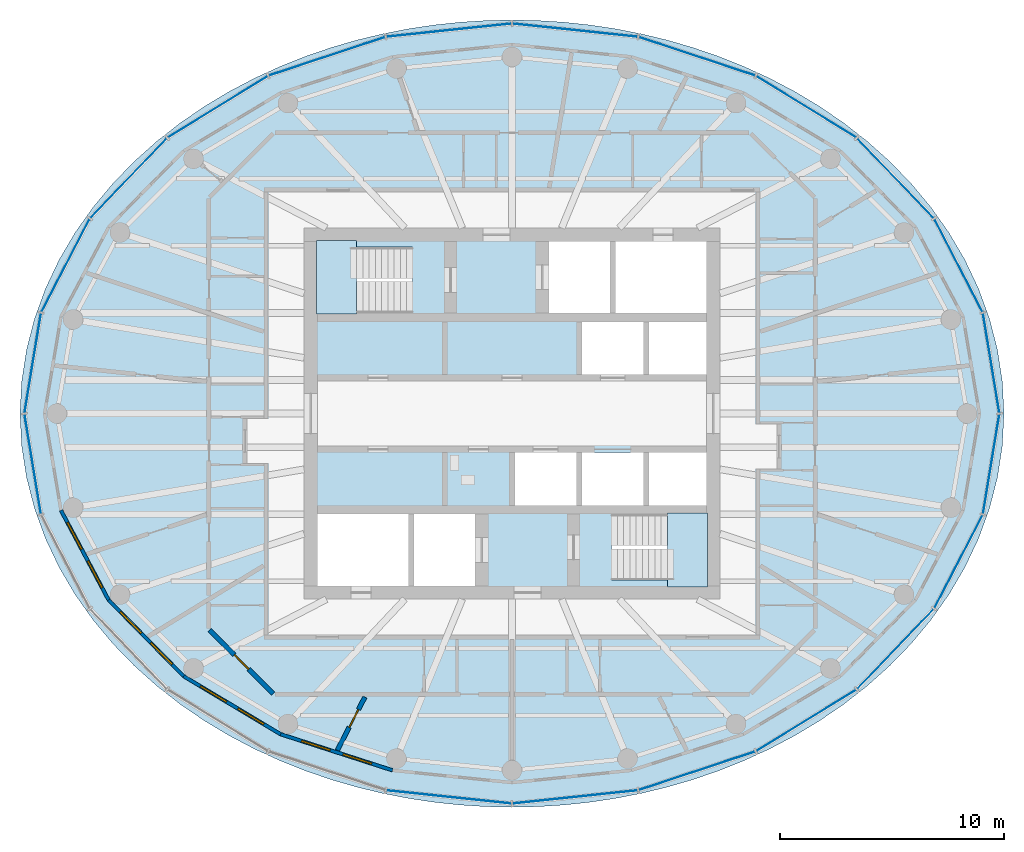
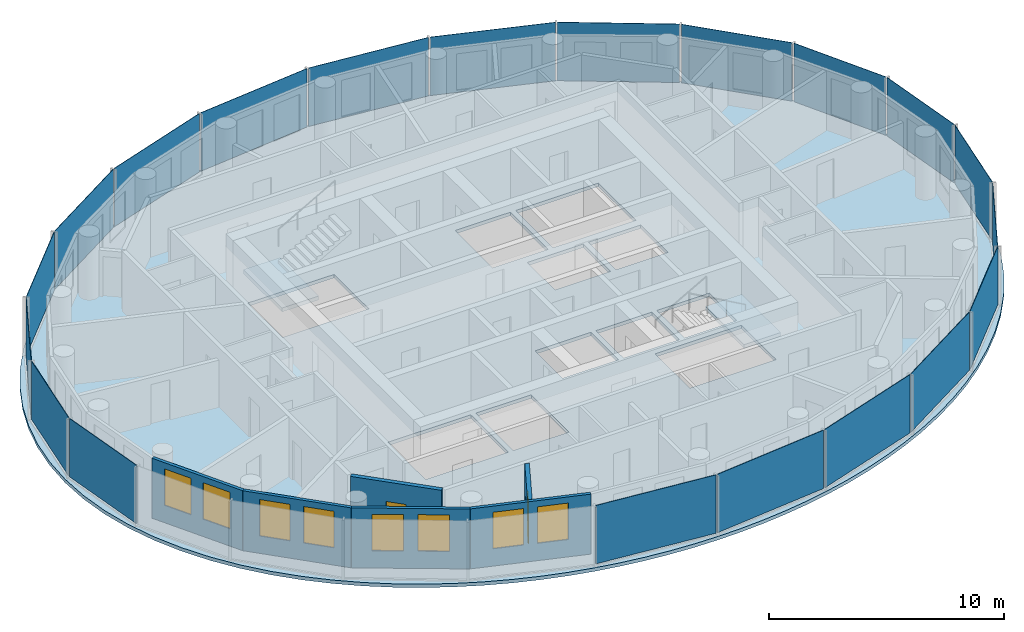
# One storey, part 4 of 12: 20 plates, 8 windows, 6 walls, 3 slabs, 2 doors, 10 openings, 6 elements without a shape of their own.
"""IFC4 building model written with IfcOpenShell, lengths in metres."""

from ifc_helpers import new_model, si_unit, direction, frame, frame_2d, origin, origin_2d, place, context, subcontext, project, spatial, polyline, rectangle, outline, extrude, material, layer, layer_set, type_object, element, fill, aggregate, save


model = new_model("IFC4")

# Units and contexts
model_context = context("Model", 3, precision=1e-05, world=origin(), true_north=direction((0.0, 1.0)))
body_context = subcontext(model_context, "Body", "Model", "MODEL_VIEW")
ifc_project = project(units=[si_unit("LENGTHUNIT", "METRE"), si_unit("AREAUNIT", "SQUARE_METRE"), si_unit("VOLUMEUNIT", "CUBIC_METRE"), si_unit("PLANEANGLEUNIT", "RADIAN"), si_unit("MASSUNIT", "GRAM", prefix="KILO")], contexts=[model_context])

# Site, building, storey
site_placement = place(None, origin())
site = spatial("IfcSite", under=ifc_project, at=site_placement, CompositionType="ELEMENT")
building_placement = place(site_placement, origin())
building = spatial("IfcBuilding", under=site, at=building_placement, Name="Hankou Lantern Tower", CompositionType="ELEMENT")
storey_placement = place(building_placement, frame((0.0, 0.0, 216.0)))
storey = spatial("IfcBuildingStorey", under=building, at=storey_placement, Name="L58", CompositionType="ELEMENT", Elevation=216.0)

# Curtain wall, plates
ifc_material_1 = material(Name="Glass, dark grey tinted laminated", Category="glass")
curtain_wall_type = type_object("IfcCurtainWallType", Name="CWD OUTER SKIN SUITE", PredefinedType="USERDEFINED", material=ifc_material_1)
curtain_wall_1_placement = place(storey_placement, origin())
curtain_wall_1 = element("IfcCurtainWall", 1, at=curtain_wall_1_placement, inside=storey, type_object=curtain_wall_type, Name="CWD L58 OS1", ObjectType="OUTER SKIN SUITE", PredefinedType="USERDEFINED")
ifc_material_2 = material(Name="Glass, dark grey tinted laminated", Category="glass")
ifc_layer_1 = layer(ifc_material_2, 0.02392578125)
ifc_layer_set_1 = layer_set([ifc_layer_1], Name="Glass, dark grey tinted laminated")
plate_type = type_object("IfcPlateType", Name="PN1 OUTER SKIN GLASS PANEL", PredefinedType="CURTAIN_PANEL", material=ifc_layer_set_1)
plate_1_placement = place(storey_placement, frame((21.4287109375, 2.2568359375, 0.080078125), z_axis=(0.0, 0.0, 1.0), x_axis=(-0.162381515188, 0.986728049427, 0.0)))
plate_1 = element("IfcPlate", 2, at=plate_1_placement, type_object=plate_type, Name="CWD glass panel 1", PredefinedType="CURTAIN_PANEL", context=body_context, shape_type="SweptSolid", body=[
    extrude(rectangle(XDim=4.49462890625, YDim=0.02392578125, at=origin_2d()), origin(), (0.0, 0.0, 1.0), 3.0400390625),
])
plate_2_placement = place(storey_placement, frame((19.96826171875, 6.616943359375, 0.080078125), z_axis=(0.0, 0.0, 1.0), x_axis=(-0.459791091957, 0.888027112062, 0.0)))
plate_2 = element("IfcPlate", 3, at=plate_2_placement, type_object=plate_type, Name="CWD glass panel 2", PredefinedType="CURTAIN_PANEL", context=body_context, shape_type="SweptSolid", body=[
    extrude(rectangle(XDim=4.656494140625, YDim=0.02392578125, at=origin_2d()), origin(), (0.0, 0.0, 1.0), 3.0400390625),
])
plate_3_placement = place(storey_placement, frame((17.147216796875, 10.52587890625, 0.080078125), z_axis=(0.0, 0.0, 1.0), x_axis=(-0.692215809936, 0.721690565599, 0.0)))
plate_3 = element("IfcPlate", 4, at=plate_3_placement, type_object=plate_type, Name="CWD glass panel 3", PredefinedType="CURTAIN_PANEL", context=body_context, shape_type="SweptSolid", body=[
    extrude(rectangle(XDim=4.9248046875, YDim=0.02392578125, at=origin_2d()), origin(), (0.0, 0.0, 1.0), 3.0400390625),
])
plate_4_placement = place(storey_placement, frame((13.157470703125, 13.7177734375, 0.080078125), z_axis=(0.0, 0.0, 1.0), x_axis=(-0.852237151549, 0.523155653242, 0.0)))
plate_4 = element("IfcPlate", 5, at=plate_4_placement, type_object=plate_type, Name="CWD glass panel 4", PredefinedType="CURTAIN_PANEL", context=body_context, shape_type="SweptSolid", body=[
    extrude(rectangle(XDim=5.2177734375, YDim=0.02392578125, at=origin_2d()), origin(), (0.0, 0.0, 1.0), 3.0400390625),
])
plate_5_placement = place(storey_placement, frame((8.271240234375, 15.974609375, 0.080078125), z_axis=(0.0, 0.0, 1.0), x_axis=(-0.949240677293, 0.31455068999, 0.0)))
plate_5 = element("IfcPlate", 6, at=plate_5_placement, type_object=plate_type, Name="CWD glass panel 5", PredefinedType="CURTAIN_PANEL", context=body_context, shape_type="SweptSolid", body=[
    extrude(rectangle(XDim=5.458984375, YDim=0.02392578125, at=origin_2d()), origin(), (0.0, 0.0, 1.0), 3.0400390625),
])
plate_6_placement = place(storey_placement, frame((2.821044921875, 17.142822265625, 0.080078125), z_axis=(0.0, 0.0, 1.0), x_axis=(-0.994499359107, 0.104742659579, 0.0)))
plate_6 = element("IfcPlate", 7, at=plate_6_placement, type_object=plate_type, Name="CWD glass panel 6", PredefinedType="CURTAIN_PANEL", context=body_context, shape_type="SweptSolid", body=[
    extrude(rectangle(XDim=5.593505859375, YDim=0.02392578125, at=origin_2d()), origin(), (0.0, 0.0, 1.0), 3.0400390625),
])
aggregate(curtain_wall_1, [plate_1, plate_2, plate_3, plate_4, plate_5, plate_6])

curtain_wall_2_placement = place(storey_placement, origin())
curtain_wall_2 = element("IfcCurtainWall", 8, at=curtain_wall_2_placement, inside=storey, type_object=curtain_wall_type, Name="CWD L58 OS2", ObjectType="OUTER SKIN SUITE", PredefinedType="USERDEFINED")
plate_7_placement = place(storey_placement, frame((-2.821044921875, 17.142822265625, 0.080078125), z_axis=(0.0, 0.0, 1.0), x_axis=(-0.994499359107, -0.104742659579, 0.0)))
plate_7 = element("IfcPlate", 9, at=plate_7_placement, type_object=plate_type, Name="CWD glass panel 1", PredefinedType="CURTAIN_PANEL", context=body_context, shape_type="SweptSolid", body=[
    extrude(rectangle(XDim=5.593505859375, YDim=0.02392578125, at=origin_2d()), origin(), (0.0, 0.0, 1.0), 3.0400390625),
])
plate_8_placement = place(storey_placement, frame((-8.271240234375, 15.974609375, 0.080078125), z_axis=(0.0, 0.0, 1.0), x_axis=(-0.949240677293, -0.31455068999, 0.0)))
plate_8 = element("IfcPlate", 10, at=plate_8_placement, type_object=plate_type, Name="CWD glass panel 2", PredefinedType="CURTAIN_PANEL", context=body_context, shape_type="SweptSolid", body=[
    extrude(rectangle(XDim=5.458984375, YDim=0.02392578125, at=origin_2d()), origin(), (0.0, 0.0, 1.0), 3.0400390625),
])
plate_9_placement = place(storey_placement, frame((-13.157470703125, 13.7177734375, 0.080078125), z_axis=(0.0, 0.0, 1.0), x_axis=(-0.852237151549, -0.523155653242, 0.0)))
plate_9 = element("IfcPlate", 11, at=plate_9_placement, type_object=plate_type, Name="CWD glass panel 3", PredefinedType="CURTAIN_PANEL", context=body_context, shape_type="SweptSolid", body=[
    extrude(rectangle(XDim=5.2177734375, YDim=0.02392578125, at=origin_2d()), origin(), (0.0, 0.0, 1.0), 3.0400390625),
])
plate_10_placement = place(storey_placement, frame((-17.147216796875, 10.52587890625, 0.080078125), z_axis=(0.0, 0.0, 1.0), x_axis=(-0.692215809936, -0.721690565599, 0.0)))
plate_10 = element("IfcPlate", 12, at=plate_10_placement, type_object=plate_type, Name="CWD glass panel 4", PredefinedType="CURTAIN_PANEL", context=body_context, shape_type="SweptSolid", body=[
    extrude(rectangle(XDim=4.9248046875, YDim=0.02392578125, at=origin_2d()), origin(), (0.0, 0.0, 1.0), 3.0400390625),
])
plate_11_placement = place(storey_placement, frame((-19.96826171875, 6.616943359375, 0.080078125), z_axis=(0.0, 0.0, 1.0), x_axis=(-0.459791091957, -0.888027112062, 0.0)))
plate_11 = element("IfcPlate", 13, at=plate_11_placement, type_object=plate_type, Name="CWD glass panel 5", PredefinedType="CURTAIN_PANEL", context=body_context, shape_type="SweptSolid", body=[
    extrude(rectangle(XDim=4.656494140625, YDim=0.02392578125, at=origin_2d()), origin(), (0.0, 0.0, 1.0), 3.0400390625),
])
plate_12_placement = place(storey_placement, frame((-21.4287109375, 2.2568359375, 0.080078125), z_axis=(0.0, 0.0, 1.0), x_axis=(-0.162381515188, -0.986728049427, 0.0)))
plate_12 = element("IfcPlate", 14, at=plate_12_placement, type_object=plate_type, Name="CWD glass panel 6", PredefinedType="CURTAIN_PANEL", context=body_context, shape_type="SweptSolid", body=[
    extrude(rectangle(XDim=4.49462890625, YDim=0.02392578125, at=origin_2d()), origin(), (0.0, 0.0, 1.0), 3.0400390625),
])
aggregate(curtain_wall_2, [plate_7, plate_8, plate_9, plate_10, plate_11, plate_12])

curtain_wall_3_placement = place(storey_placement, origin())
curtain_wall_3 = element("IfcCurtainWall", 15, at=curtain_wall_3_placement, inside=storey, type_object=curtain_wall_type, Name="CWD L58 OS3", ObjectType="OUTER SKIN SUITE", PredefinedType="USERDEFINED")
plate_13_placement = place(storey_placement, frame((-21.4287109375, -2.2568359375, 0.080078125), z_axis=(0.0, 0.0, 1.0), x_axis=(0.162381515188, -0.986728049427, 0.0)))
plate_13 = element("IfcPlate", 16, at=plate_13_placement, type_object=plate_type, Name="CWD glass panel 1", PredefinedType="CURTAIN_PANEL", context=body_context, shape_type="SweptSolid", body=[
    extrude(rectangle(XDim=4.49462890625, YDim=0.02392578125, at=origin_2d()), origin(), (0.0, 0.0, 1.0), 3.0400390625),
])
plate_14_placement = place(storey_placement, frame((-2.821044921875, -17.142822265625, 0.080078125), z_axis=(0.0, 0.0, 1.0), x_axis=(0.994499359107, -0.104742659579, 0.0)))
plate_14 = element("IfcPlate", 17, at=plate_14_placement, type_object=plate_type, Name="CWD glass panel 6", PredefinedType="CURTAIN_PANEL", context=body_context, shape_type="SweptSolid", body=[
    extrude(rectangle(XDim=5.593505859375, YDim=0.02392578125, at=origin_2d()), origin(), (0.0, 0.0, 1.0), 3.0400390625),
])
aggregate(curtain_wall_3, [plate_13, plate_14])

curtain_wall_4_placement = place(storey_placement, origin())
curtain_wall_4 = element("IfcCurtainWall", 18, at=curtain_wall_4_placement, inside=storey, type_object=curtain_wall_type, Name="CWD L58 OS4", ObjectType="OUTER SKIN SUITE", PredefinedType="USERDEFINED")
plate_15_placement = place(storey_placement, frame((2.821044921875, -17.142822265625, 0.080078125), z_axis=(0.0, 0.0, 1.0), x_axis=(0.994499359107, 0.104742659579, 0.0)))
plate_15 = element("IfcPlate", 19, at=plate_15_placement, type_object=plate_type, Name="CWD glass panel 1", PredefinedType="CURTAIN_PANEL", context=body_context, shape_type="SweptSolid", body=[
    extrude(rectangle(XDim=5.593505859375, YDim=0.02392578125, at=origin_2d()), origin(), (0.0, 0.0, 1.0), 3.0400390625),
])
plate_16_placement = place(storey_placement, frame((8.271240234375, -15.974609375, 0.080078125), z_axis=(0.0, 0.0, 1.0), x_axis=(0.949240677293, 0.31455068999, 0.0)))
plate_16 = element("IfcPlate", 20, at=plate_16_placement, type_object=plate_type, Name="CWD glass panel 2", PredefinedType="CURTAIN_PANEL", context=body_context, shape_type="SweptSolid", body=[
    extrude(rectangle(XDim=5.458984375, YDim=0.02392578125, at=origin_2d()), origin(), (0.0, 0.0, 1.0), 3.0400390625),
])
plate_17_placement = place(storey_placement, frame((13.157470703125, -13.7177734375, 0.080078125), z_axis=(0.0, 0.0, 1.0), x_axis=(0.852237151549, 0.523155653242, 0.0)))
plate_17 = element("IfcPlate", 21, at=plate_17_placement, type_object=plate_type, Name="CWD glass panel 3", PredefinedType="CURTAIN_PANEL", context=body_context, shape_type="SweptSolid", body=[
    extrude(rectangle(XDim=5.2177734375, YDim=0.02392578125, at=origin_2d()), origin(), (0.0, 0.0, 1.0), 3.0400390625),
])
plate_18_placement = place(storey_placement, frame((17.147216796875, -10.52587890625, 0.080078125), z_axis=(0.0, 0.0, 1.0), x_axis=(0.692215809936, 0.721690565599, 0.0)))
plate_18 = element("IfcPlate", 22, at=plate_18_placement, type_object=plate_type, Name="CWD glass panel 4", PredefinedType="CURTAIN_PANEL", context=body_context, shape_type="SweptSolid", body=[
    extrude(rectangle(XDim=4.9248046875, YDim=0.02392578125, at=origin_2d()), origin(), (0.0, 0.0, 1.0), 3.0400390625),
])
plate_19_placement = place(storey_placement, frame((19.96826171875, -6.616943359375, 0.080078125), z_axis=(0.0, 0.0, 1.0), x_axis=(0.459791091957, 0.888027112062, 0.0)))
plate_19 = element("IfcPlate", 23, at=plate_19_placement, type_object=plate_type, Name="CWD glass panel 5", PredefinedType="CURTAIN_PANEL", context=body_context, shape_type="SweptSolid", body=[
    extrude(rectangle(XDim=4.656494140625, YDim=0.02392578125, at=origin_2d()), origin(), (0.0, 0.0, 1.0), 3.0400390625),
])
plate_20_placement = place(storey_placement, frame((21.4287109375, -2.2568359375, 0.080078125), z_axis=(0.0, 0.0, 1.0), x_axis=(0.162381515188, 0.986728049427, 0.0)))
plate_20 = element("IfcPlate", 24, at=plate_20_placement, type_object=plate_type, Name="CWD glass panel 6", PredefinedType="CURTAIN_PANEL", context=body_context, shape_type="SweptSolid", body=[
    extrude(rectangle(XDim=4.49462890625, YDim=0.02392578125, at=origin_2d()), origin(), (0.0, 0.0, 1.0), 3.0400390625),
])
aggregate(curtain_wall_4, [plate_15, plate_16, plate_17, plate_18, plate_19, plate_20])

# Slab
ifc_material_3 = material(Name="Concrete C50", Category="concrete")
ifc_layer_2 = layer(ifc_material_3, 0.179931640625)
ifc_layer_set_2 = layer_set([ifc_layer_2], Name="Concrete C50")
slab_type_1 = type_object("IfcSlabType", Name="S1 CONCRETE FLOOR SLAB 180", PredefinedType="FLOOR", material=ifc_layer_set_2)
slab_1_placement = place(storey_placement, frame((0.0, 0.0, -0.179931640625)))
element("IfcSlab", 25, at=slab_1_placement, inside=storey, type_object=slab_type_1, Name="Floor slab L58", PredefinedType="FLOOR", context=body_context, shape_type="SweptSolid", body=[
    extrude(outline(polyline([(22.0, 0.0), (21.926513671875, 1.437255859375), (21.7080078125, 2.85791015625), (21.349853515625, 4.246826171875), (20.861083984375, 5.589599609375), (20.252197265625, 6.874755859375), (19.53662109375, 8.09228515625), (18.727783203125, 9.235595703125), (17.83935546875, 10.299560546875), (16.88525390625, 11.2822265625), (15.877197265625, 12.18310546875), (14.82666015625, 13.002685546875), (13.743408203125, 13.743408203125), (12.63525390625, 14.40771484375), (11.509521484375, 14.999267578125), (10.37109375, 15.521728515625), (9.224853515625, 15.97802734375), (8.07373046875, 16.3720703125), (6.920166015625, 16.70654296875), (5.765625, 16.98486328125), (4.611083984375, 17.208984375), (3.457275390625, 17.38134765625), (2.304443359375, 17.503173828125), (1.152099609375, 17.575927734375), (0.0, 17.60009765625), (-1.152099609375, 17.575927734375), (-2.304443359375, 17.503173828125), (-3.457275390625, 17.38134765625), (-4.611083984375, 17.208984375), (-5.765625, 16.98486328125), (-6.920166015625, 16.70654296875), (-8.07373046875, 16.3720703125), (-9.224853515625, 15.97802734375), (-10.37109375, 15.521728515625), (-11.509521484375, 14.999267578125), (-12.63525390625, 14.40771484375), (-13.743408203125, 13.743408203125), (-14.82666015625, 13.002685546875), (-15.877197265625, 12.18310546875), (-16.88525390625, 11.2822265625), (-17.83935546875, 10.299560546875), (-18.727783203125, 9.235595703125), (-19.53662109375, 8.09228515625), (-20.252197265625, 6.874755859375), (-20.861083984375, 5.589599609375), (-21.349853515625, 4.246826171875), (-21.7080078125, 2.85791015625), (-21.926513671875, 1.437255859375), (-22.0, 0.0), (-21.926513671875, -1.437255859375), (-21.7080078125, -2.85791015625), (-21.349853515625, -4.246826171875), (-20.861083984375, -5.589599609375), (-20.252197265625, -6.874755859375), (-19.53662109375, -8.09228515625), (-18.727783203125, -9.235595703125), (-17.83935546875, -10.299560546875), (-16.88525390625, -11.2822265625), (-15.877197265625, -12.18310546875), (-14.82666015625, -13.002685546875), (-13.743408203125, -13.743408203125), (-12.63525390625, -14.40771484375), (-11.509521484375, -14.999267578125), (-10.37109375, -15.521728515625), (-9.224853515625, -15.97802734375), (-8.07373046875, -16.3720703125), (-6.920166015625, -16.70654296875), (-5.765625, -16.98486328125), (-4.611083984375, -17.208984375), (-3.457275390625, -17.38134765625), (-2.304443359375, -17.503173828125), (-1.152099609375, -17.575927734375), (0.0, -17.60009765625), (1.152099609375, -17.575927734375), (2.304443359375, -17.503173828125), (3.457275390625, -17.38134765625), (4.611083984375, -17.208984375), (5.765625, -16.98486328125), (6.920166015625, -16.70654296875), (8.07373046875, -16.3720703125), (9.224853515625, -15.97802734375), (10.37109375, -15.521728515625), (11.509521484375, -14.999267578125), (12.63525390625, -14.40771484375), (13.743408203125, -13.743408203125), (14.82666015625, -13.002685546875), (15.877197265625, -12.18310546875), (16.88525390625, -11.2822265625), (17.83935546875, -10.299560546875), (18.727783203125, -9.235595703125), (19.53662109375, -8.09228515625), (20.252197265625, -6.874755859375), (20.861083984375, -5.589599609375), (21.349853515625, -4.246826171875), (21.7080078125, -2.85791015625), (21.926513671875, -1.437255859375), (22.0, 0.0)]), holes=[polyline([(3.125, 4.10009765625), (5.875, 4.10009765625), (5.875, 1.75), (3.125, 1.75), (3.125, 4.10009765625)]), polyline([(6.125, 4.10009765625), (8.699951171875, 4.10009765625), (8.699951171875, 1.75), (6.125, 1.75), (6.125, 4.10009765625)]), polyline([(0.125, -1.75), (2.875, -1.75), (2.875, -4.10009765625), (0.125, -4.10009765625), (0.125, -1.75)]), polyline([(3.125, -1.75), (5.875, -1.75), (5.875, -4.10009765625), (3.125, -4.10009765625), (3.125, -1.75)]), polyline([(6.125, -1.75), (8.699951171875, -1.75), (8.699951171875, -4.10009765625), (6.125, -4.10009765625), (6.125, -1.75)]), polyline([(1.64990234375, 7.699951171875), (4.375, 7.699951171875), (4.375, 4.5), (1.64990234375, 4.5), (1.64990234375, 7.699951171875)]), polyline([(-4.375, -4.5), (-1.64990234375, -4.5), (-1.64990234375, -7.699951171875), (-4.375, -7.699951171875), (-4.375, -4.5)]), polyline([(-8.699951171875, 7.449951171875), (-4.449951171875, 7.449951171875), (-4.449951171875, 4.5), (-8.699951171875, 4.5), (-8.699951171875, 7.449951171875)]), polyline([(4.449951171875, -4.5), (8.699951171875, -4.5), (8.699951171875, -7.449951171875), (4.449951171875, -7.449951171875), (4.449951171875, -4.5)]), polyline([(4.625, 7.699951171875), (8.699951171875, 7.699951171875), (8.699951171875, 4.5), (4.625, 4.5), (4.625, 7.699951171875)]), polyline([(-8.699951171875, -4.5), (-4.625, -4.5), (-4.625, -7.699951171875), (-8.699951171875, -7.699951171875), (-8.699951171875, -4.5)])]), origin(), (0.0, 0.0, 1.0), 0.179931640625),
])

# Stair, slab
ifc_material_4 = material(Name="Concrete C40", Category="concrete")
stair_type = type_object("IfcStairType", Name="ST33 CORE STAIR 3300 RISE", PredefinedType="HALF_TURN_STAIR", material=ifc_material_4)
stair_1_placement = place(storey_placement, origin())
stair_1 = element("IfcStair", 26, at=stair_1_placement, inside=storey, type_object=stair_type, Name="Stair STA L58", PredefinedType="HALF_TURN_STAIR")
ifc_material_5 = material(Name="Concrete C40", Category="concrete")
ifc_layer_3 = layer(ifc_material_5, 0.199951171875)
ifc_layer_set_3 = layer_set([ifc_layer_3], Name="Concrete C40")
slab_type_2 = type_object("IfcSlabType", Name="SL1 STAIR LANDING 200", PredefinedType="LANDING", material=ifc_layer_set_3)
slab_2_placement = place(storey_placement, frame((0.0, 0.0, 1.371337890625)))
slab_2 = element("IfcSlab", 27, at=slab_2_placement, type_object=slab_type_2, Name="STA landing 1", PredefinedType="LANDING", context=body_context, shape_type="SweptSolid", body=[
    extrude(outline(polyline([(-8.75, 4.449951171875), (-6.949951171875, 4.449951171875), (-6.949951171875, 7.75), (-8.75, 7.75), (-8.75, 4.449951171875)])), origin(), (0.0, 0.0, 1.0), 0.2001953125),
])
aggregate(stair_1, [slab_2])

stair_2_placement = place(storey_placement, origin())
stair_2 = element("IfcStair", 28, at=stair_2_placement, inside=storey, type_object=stair_type, Name="Stair STB L58", PredefinedType="HALF_TURN_STAIR")
slab_3_placement = place(storey_placement, frame((0.0, 0.0, 1.371337890625)))
slab_3 = element("IfcSlab", 29, at=slab_3_placement, type_object=slab_type_2, Name="STB landing 1", PredefinedType="LANDING", context=body_context, shape_type="SweptSolid", body=[
    extrude(outline(polyline([(8.75, -4.449951171875), (6.949951171875, -4.449951171875), (6.949951171875, -7.75), (8.75, -7.75), (8.75, -4.449951171875)])), origin(), (0.0, 0.0, 1.0), 0.2001953125),
])
aggregate(stair_2, [slab_3])

# Wall, openings, windows
ifc_material_6 = material(Name="Aluminium spandrel panel on steel studs", Category="steel")
ifc_layer_4 = layer(ifc_material_6, 0.14990234375)
ifc_layer_set_4 = layer_set([ifc_layer_4], Name="Aluminium spandrel panel on steel studs")
wall_type_1 = type_object("IfcWallType", Name="EW1 INNER SKIN WALL 150", PredefinedType="ELEMENTEDWALL", material=ifc_layer_set_4)
wall_1_placement = place(storey_placement, frame((-20.169677734375, -4.323486328125, 0.0), z_axis=(0.0, 0.0, 1.0), x_axis=(0.469256152955, -0.883062094597, 0.0)))
wall_1 = element("IfcWall", 30, at=wall_1_placement, inside=storey, type_object=wall_type_1, Name="Inner skin R14-R15 L58", PredefinedType="ELEMENTEDWALL", context=body_context, shape_type="SweptSolid", body=[
    extrude(rectangle(XDim=4.539306640625, YDim=0.14990234375, at=frame_2d((2.26953125, 0.0))), origin(), (0.0, 0.0, 1.0), 3.1201171875),
])
opening_1_placement = place(wall_1_placement, frame((0.61962890625, 0.0, 0.89990234375)))
opening_1 = element("IfcOpeningElement", 31, at=opening_1_placement, cuts=wall_1, Name="Opening W4", PredefinedType="OPENING", context=body_context, shape_type="SweptSolid", body=[
    extrude(rectangle(XDim=1.35009765625, YDim=1.89990234375, at=frame_2d((0.675048828125, 0.949951171875))), frame((0.0, 0.0849609375, 0.0), z_axis=(0.0, -1.0, 0.0), x_axis=(1.0, 0.0, 0.0)), (0.0, 0.0, 1.0), 0.169921875),
])
opening_2_placement = place(wall_1_placement, frame((2.569580078125, 0.0, 0.89990234375)))
opening_2 = element("IfcOpeningElement", 32, at=opening_2_placement, cuts=wall_1, Name="Opening W4", PredefinedType="OPENING", context=body_context, shape_type="SweptSolid", body=[
    extrude(rectangle(XDim=1.35009765625, YDim=1.89990234375, at=frame_2d((0.675048828125, 0.949951171875))), frame((0.0, 0.0849609375, 0.0), z_axis=(0.0, -1.0, 0.0), x_axis=(1.0, 0.0, 0.0)), (0.0, 0.0, 1.0), 0.169921875),
])
ifc_material_7 = material(Name="Aluminium framed double glazed window", Category="aluminium")
window_type = type_object("IfcWindowType", Name="W4 SUITE WINDOW 1350X1900", PartitioningType="DOUBLE_PANEL_VERTICAL", PredefinedType="WINDOW", material=ifc_material_7)
window_1_placement = place(opening_1_placement, origin())
window_1 = element("IfcWindow", 33, at=window_1_placement, inside=storey, type_object=window_type, Name="Window R14.1 L58", OverallHeight=1.89990234375, OverallWidth=1.35009765625, PartitioningType="SINGLE_PANEL", PredefinedType="WINDOW", context=body_context, shape_type="SweptSolid", body=[
    extrude(rectangle(XDim=1.35009765625, YDim=1.89990234375, at=frame_2d((0.675048828125, 0.949951171875))), frame((0.0, 0.030029296875, 0.0), z_axis=(0.0, -1.0, 0.0), x_axis=(1.0, 0.0, 0.0)), (0.0, 0.0, 1.0), 0.06005859375),
])
fill(opening_1, window_1)
window_2_placement = place(opening_2_placement, origin())
window_2 = element("IfcWindow", 34, at=window_2_placement, inside=storey, type_object=window_type, Name="Window R14.2 L58", OverallHeight=1.89990234375, OverallWidth=1.35009765625, PartitioningType="SINGLE_PANEL", PredefinedType="WINDOW", context=body_context, shape_type="SweptSolid", body=[
    extrude(rectangle(XDim=1.35009765625, YDim=1.89990234375, at=frame_2d((0.675048828125, 0.949951171875))), frame((0.0, 0.030029296875, 0.0), z_axis=(0.0, -1.0, 0.0), x_axis=(1.0, 0.0, 0.0)), (0.0, 0.0, 1.0), 0.06005859375),
])
fill(opening_2, window_2)

wall_2_placement = place(storey_placement, frame((-18.03955078125, -8.33203125, 0.0), z_axis=(0.0, 0.0, 1.0), x_axis=(0.701527379618, -0.712642501993, 0.0)))
wall_2 = element("IfcWall", 35, at=wall_2_placement, inside=storey, type_object=wall_type_1, Name="Inner skin R15-R16 L58", PredefinedType="ELEMENTEDWALL", context=body_context, shape_type="SweptSolid", body=[
    extrude(rectangle(XDim=4.788330078125, YDim=0.14990234375, at=frame_2d((2.39404296875, 0.0))), origin(), (0.0, 0.0, 1.0), 3.1201171875),
])
opening_3_placement = place(wall_2_placement, frame((0.744140625, 0.0, 0.89990234375)))
opening_3 = element("IfcOpeningElement", 36, at=opening_3_placement, cuts=wall_2, Name="Opening W4", PredefinedType="OPENING", context=body_context, shape_type="SweptSolid", body=[
    extrude(rectangle(XDim=1.35009765625, YDim=1.89990234375, at=frame_2d((0.675048828125, 0.949951171875))), frame((0.0, 0.0849609375, 0.0), z_axis=(0.0, -1.0, 0.0), x_axis=(1.0, 0.0, 0.0)), (0.0, 0.0, 1.0), 0.169921875),
])
opening_4_placement = place(wall_2_placement, frame((2.694091796875, 0.0, 0.89990234375)))
opening_4 = element("IfcOpeningElement", 37, at=opening_4_placement, cuts=wall_2, Name="Opening W4", PredefinedType="OPENING", context=body_context, shape_type="SweptSolid", body=[
    extrude(rectangle(XDim=1.35009765625, YDim=1.89990234375, at=frame_2d((0.675048828125, 0.949951171875))), frame((0.0, 0.0849609375, 0.0), z_axis=(0.0, -1.0, 0.0), x_axis=(1.0, 0.0, 0.0)), (0.0, 0.0, 1.0), 0.169921875),
])
window_3_placement = place(opening_3_placement, origin())
window_3 = element("IfcWindow", 38, at=window_3_placement, inside=storey, type_object=window_type, Name="Window R15.1 L58", OverallHeight=1.89990234375, OverallWidth=1.35009765625, PartitioningType="SINGLE_PANEL", PredefinedType="WINDOW", context=body_context, shape_type="SweptSolid", body=[
    extrude(rectangle(XDim=1.35009765625, YDim=1.89990234375, at=frame_2d((0.675048828125, 0.949951171875))), frame((0.0, 0.030029296875, 0.0), z_axis=(0.0, -1.0, 0.0), x_axis=(1.0, 0.0, 0.0)), (0.0, 0.0, 1.0), 0.06005859375),
])
fill(opening_3, window_3)
window_4_placement = place(opening_4_placement, origin())
window_4 = element("IfcWindow", 39, at=window_4_placement, inside=storey, type_object=window_type, Name="Window R15.2 L58", OverallHeight=1.89990234375, OverallWidth=1.35009765625, PartitioningType="SINGLE_PANEL", PredefinedType="WINDOW", context=body_context, shape_type="SweptSolid", body=[
    extrude(rectangle(XDim=1.35009765625, YDim=1.89990234375, at=frame_2d((0.675048828125, 0.949951171875))), frame((0.0, 0.030029296875, 0.0), z_axis=(0.0, -1.0, 0.0), x_axis=(1.0, 0.0, 0.0)), (0.0, 0.0, 1.0), 0.06005859375),
])
fill(opening_4, window_4)

wall_3_placement = place(storey_placement, frame((-14.680419921875, -11.744384765625, 0.0), z_axis=(0.0, 0.0, 1.0), x_axis=(0.85822150553, -0.513279502265, 0.0)))
wall_3 = element("IfcWall", 40, at=wall_3_placement, inside=storey, type_object=wall_type_1, Name="Inner skin R16-R17 L58", PredefinedType="ELEMENTEDWALL", context=body_context, shape_type="SweptSolid", body=[
    extrude(rectangle(XDim=5.050048828125, YDim=0.14990234375, at=frame_2d((2.52490234375, 0.0))), origin(), (0.0, 0.0, 1.0), 3.1201171875),
])
opening_5_placement = place(wall_3_placement, frame((0.875, 0.0, 0.89990234375)))
opening_5 = element("IfcOpeningElement", 41, at=opening_5_placement, cuts=wall_3, Name="Opening W4", PredefinedType="OPENING", context=body_context, shape_type="SweptSolid", body=[
    extrude(rectangle(XDim=1.35009765625, YDim=1.89990234375, at=frame_2d((0.675048828125, 0.949951171875))), frame((0.0, 0.0849609375, 0.0), z_axis=(0.0, -1.0, 0.0), x_axis=(1.0, 0.0, 0.0)), (0.0, 0.0, 1.0), 0.169921875),
])
opening_6_placement = place(wall_3_placement, frame((2.824951171875, 0.0, 0.89990234375)))
opening_6 = element("IfcOpeningElement", 42, at=opening_6_placement, cuts=wall_3, Name="Opening W4", PredefinedType="OPENING", context=body_context, shape_type="SweptSolid", body=[
    extrude(rectangle(XDim=1.35009765625, YDim=1.89990234375, at=frame_2d((0.675048828125, 0.949951171875))), frame((0.0, 0.0849609375, 0.0), z_axis=(0.0, -1.0, 0.0), x_axis=(1.0, 0.0, 0.0)), (0.0, 0.0, 1.0), 0.169921875),
])
window_5_placement = place(opening_5_placement, origin())
window_5 = element("IfcWindow", 43, at=window_5_placement, inside=storey, type_object=window_type, Name="Window R16.1 L58", OverallHeight=1.89990234375, OverallWidth=1.35009765625, PartitioningType="SINGLE_PANEL", PredefinedType="WINDOW", context=body_context, shape_type="SweptSolid", body=[
    extrude(rectangle(XDim=1.35009765625, YDim=1.89990234375, at=frame_2d((0.675048828125, 0.949951171875))), frame((0.0, 0.030029296875, 0.0), z_axis=(0.0, -1.0, 0.0), x_axis=(1.0, 0.0, 0.0)), (0.0, 0.0, 1.0), 0.06005859375),
])
fill(opening_5, window_5)
window_6_placement = place(opening_6_placement, origin())
window_6 = element("IfcWindow", 44, at=window_6_placement, inside=storey, type_object=window_type, Name="Window R16.2 L58", OverallHeight=1.89990234375, OverallWidth=1.35009765625, PartitioningType="SINGLE_PANEL", PredefinedType="WINDOW", context=body_context, shape_type="SweptSolid", body=[
    extrude(rectangle(XDim=1.35009765625, YDim=1.89990234375, at=frame_2d((0.675048828125, 0.949951171875))), frame((0.0, 0.030029296875, 0.0), z_axis=(0.0, -1.0, 0.0), x_axis=(1.0, 0.0, 0.0)), (0.0, 0.0, 1.0), 0.06005859375),
])
fill(opening_6, window_6)

wall_4_placement = place(storey_placement, frame((-10.346435546875, -14.33642578125, 0.0), z_axis=(0.0, 0.0, 1.0), x_axis=(0.951644702515, -0.307200846638, 0.0)))
wall_4 = element("IfcWall", 45, at=wall_4_placement, inside=storey, type_object=wall_type_1, Name="Inner skin R17-R18 L58", PredefinedType="ELEMENTEDWALL", context=body_context, shape_type="SweptSolid", body=[
    extrude(rectangle(XDim=5.2578125, YDim=0.14990234375, at=frame_2d((2.62890625, 0.0))), origin(), (0.0, 0.0, 1.0), 3.1201171875),
])
opening_7_placement = place(wall_4_placement, frame((0.97900390625, 0.0, 0.89990234375)))
opening_7 = element("IfcOpeningElement", 46, at=opening_7_placement, cuts=wall_4, Name="Opening W4", PredefinedType="OPENING", context=body_context, shape_type="SweptSolid", body=[
    extrude(rectangle(XDim=1.35009765625, YDim=1.89990234375, at=frame_2d((0.675048828125, 0.949951171875))), frame((0.0, 0.0849609375, 0.0), z_axis=(0.0, -1.0, 0.0), x_axis=(1.0, 0.0, 0.0)), (0.0, 0.0, 1.0), 0.169921875),
])
opening_8_placement = place(wall_4_placement, frame((2.928955078125, 0.0, 0.89990234375)))
opening_8 = element("IfcOpeningElement", 47, at=opening_8_placement, cuts=wall_4, Name="Opening W4", PredefinedType="OPENING", context=body_context, shape_type="SweptSolid", body=[
    extrude(rectangle(XDim=1.35009765625, YDim=1.89990234375, at=frame_2d((0.675048828125, 0.949951171875))), frame((0.0, 0.0849609375, 0.0), z_axis=(0.0, -1.0, 0.0), x_axis=(1.0, 0.0, 0.0)), (0.0, 0.0, 1.0), 0.169921875),
])
window_7_placement = place(opening_7_placement, origin())
window_7 = element("IfcWindow", 48, at=window_7_placement, inside=storey, type_object=window_type, Name="Window R17.1 L58", OverallHeight=1.89990234375, OverallWidth=1.35009765625, PartitioningType="SINGLE_PANEL", PredefinedType="WINDOW", context=body_context, shape_type="SweptSolid", body=[
    extrude(rectangle(XDim=1.35009765625, YDim=1.89990234375, at=frame_2d((0.675048828125, 0.949951171875))), frame((0.0, 0.030029296875, 0.0), z_axis=(0.0, -1.0, 0.0), x_axis=(1.0, 0.0, 0.0)), (0.0, 0.0, 1.0), 0.06005859375),
])
fill(opening_7, window_7)
window_8_placement = place(opening_8_placement, origin())
window_8 = element("IfcWindow", 49, at=window_8_placement, inside=storey, type_object=window_type, Name="Window R17.2 L58", OverallHeight=1.89990234375, OverallWidth=1.35009765625, PartitioningType="SINGLE_PANEL", PredefinedType="WINDOW", context=body_context, shape_type="SweptSolid", body=[
    extrude(rectangle(XDim=1.35009765625, YDim=1.89990234375, at=frame_2d((0.675048828125, 0.949951171875))), frame((0.0, 0.030029296875, 0.0), z_axis=(0.0, -1.0, 0.0), x_axis=(1.0, 0.0, 0.0)), (0.0, 0.0, 1.0), 0.06005859375),
])
fill(opening_8, window_8)

# Wall, opening, door
ifc_material_8 = material(Name="Masonry lightweight concrete block", Category="masonry")
ifc_layer_5 = layer(ifc_material_8, 0.199951171875)
ifc_layer_set_5 = layer_set([ifc_layer_5], Name="Masonry lightweight concrete block")
wall_type_2 = type_object("IfcWallType", Name="IW6 SUITE PARTITION 200", PredefinedType="PARTITIONING", material=ifc_layer_set_5)
wall_5_placement = place(storey_placement, frame((-13.520751953125, -9.67919921875, 0.0), z_axis=(0.0, 0.0, 1.0), x_axis=(0.707106781187, -0.707106781187, 0.0)))
wall_5 = element("IfcWall", 50, at=wall_5_placement, inside=storey, type_object=wall_type_2, Name="Suite foyer wall 5804", PredefinedType="PARTITIONING", context=body_context, shape_type="SweptSolid", body=[
    extrude(rectangle(XDim=4.0185546875, YDim=0.199951171875, at=frame_2d((2.00927734375, 0.0))), origin(), (0.0, 0.0, 1.0), 3.1201171875),
])
opening_9_placement = place(wall_5_placement, frame((1.570068359375, 0.0, 0.0)))
opening_9 = element("IfcOpeningElement", 51, at=opening_9_placement, cuts=wall_5, Name="Opening D27", PredefinedType="OPENING", context=body_context, shape_type="SweptSolid", body=[
    extrude(rectangle(XDim=0.89990234375, YDim=2.10009765625, at=frame_2d((0.449951171875, 1.050048828125))), frame((0.0, 0.10986328125, 0.0), z_axis=(0.0, -1.0, 0.0), x_axis=(1.0, 0.0, 0.0)), (0.0, 0.0, 1.0), 0.219970703125),
])
ifc_material_9 = material(Name="Timber door leaf", Category="wood")
door_type = type_object("IfcDoorType", Name="D27 INTERNAL DOOR 900X2100", OperationType="SINGLE_SWING_LEFT", PredefinedType="DOOR", material=ifc_material_9)
door_1_placement = place(opening_9_placement, origin())
door_1 = element("IfcDoor", 52, at=door_1_placement, inside=storey, type_object=door_type, Name="Suite 5804 living room door", OperationType="SINGLE_SWING_RIGHT", OverallHeight=2.10009765625, OverallWidth=0.89990234375, PredefinedType="DOOR", context=body_context, shape_type="SweptSolid", body=[
    extrude(rectangle(XDim=0.89990234375, YDim=2.10009765625, at=frame_2d((0.449951171875, 1.050048828125))), frame((0.0, 0.02490234375, 0.0), z_axis=(0.0, -1.0, 0.0), x_axis=(1.0, 0.0, 0.0)), (0.0, 0.0, 1.0), 0.050048828125),
])
fill(opening_9, door_1)

wall_6_placement = place(storey_placement, frame((-6.578125, -12.676513671875, 0.0), z_axis=(0.0, 0.0, 1.0), x_axis=(-0.460620531465, -0.887597164255, 0.0)))
wall_6 = element("IfcWall", 53, at=wall_6_placement, inside=storey, type_object=wall_type_2, Name="Suite partition R17-R18", PredefinedType="PARTITIONING", context=body_context, shape_type="SweptSolid", body=[
    extrude(rectangle(XDim=2.677734375, YDim=0.199951171875, at=frame_2d((1.3388671875, 0.0))), origin(), (0.0, 0.0, 1.0), 3.1201171875),
])
opening_10_placement = place(wall_6_placement, frame((0.6201171875, 0.0, 0.0)))
opening_10 = element("IfcOpeningElement", 54, at=opening_10_placement, cuts=wall_6, Name="Opening D27", PredefinedType="OPENING", context=body_context, shape_type="SweptSolid", body=[
    extrude(rectangle(XDim=0.89990234375, YDim=2.10009765625, at=frame_2d((0.449951171875, 1.050048828125))), frame((0.0, 0.10986328125, 0.0), z_axis=(0.0, -1.0, 0.0), x_axis=(1.0, 0.0, 0.0)), (0.0, 0.0, 1.0), 0.219970703125),
])
door_2_placement = place(opening_10_placement, origin())
door_2 = element("IfcDoor", 55, at=door_2_placement, inside=storey, type_object=door_type, Name="Suite 5804 bedroom door", OperationType="SINGLE_SWING_LEFT", OverallHeight=2.10009765625, OverallWidth=0.89990234375, PredefinedType="DOOR", context=body_context, shape_type="SweptSolid", body=[
    extrude(rectangle(XDim=0.89990234375, YDim=2.10009765625, at=frame_2d((0.449951171875, 1.050048828125))), frame((0.0, 0.02490234375, 0.0), z_axis=(0.0, -1.0, 0.0), x_axis=(1.0, 0.0, 0.0)), (0.0, 0.0, 1.0), 0.050048828125),
])
fill(opening_10, door_2)

save(model, "model.ifc")
